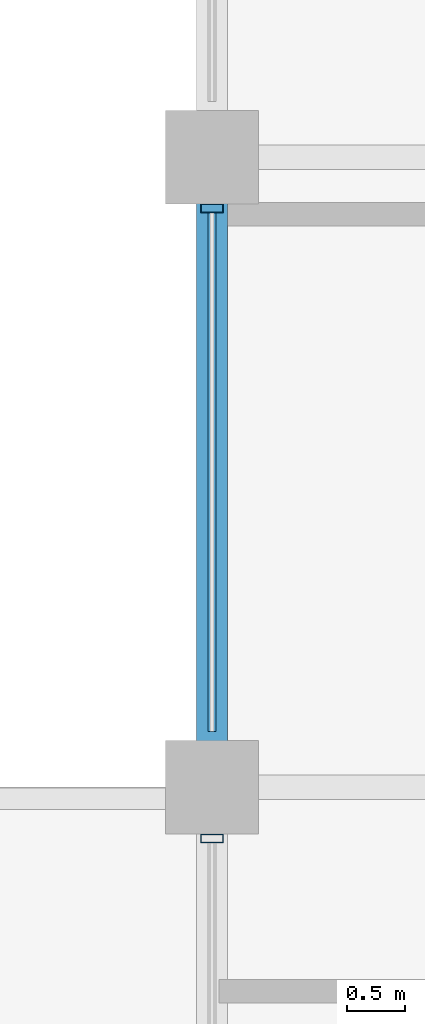
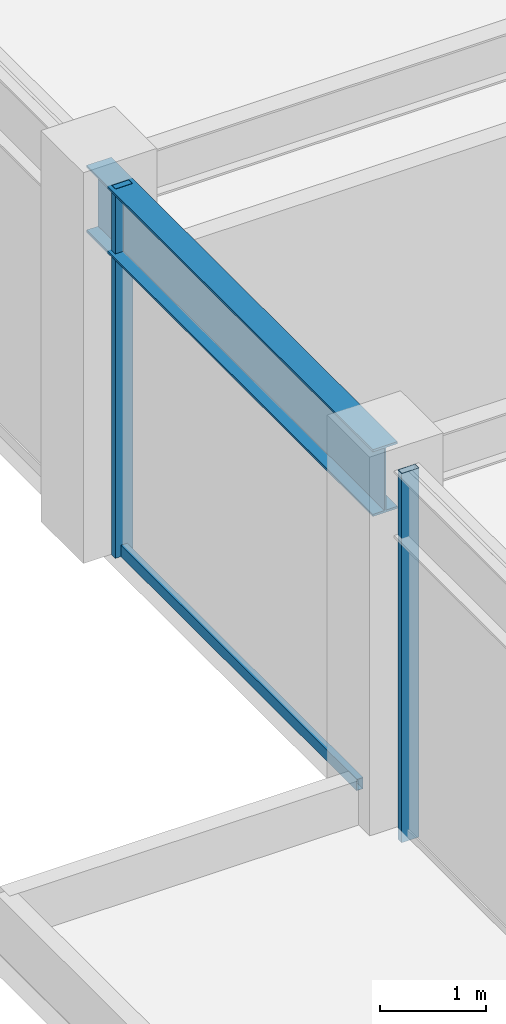
# One storey, part 8 of 28: 3 members, 1 beam, 1 element without a shape of its own.
"""IFC4 building model written with IfcOpenShell, lengths in metres."""

from ifc_helpers import new_model, si_unit, direction, frame, origin, origin_2d, place, context, subcontext, project, spatial, hollow_rectangle, i_section, extrude, material, layer, layer_set, material_profile, profile_set, type_object, element, aggregate, save


model = new_model("IFC4")

# Units and contexts
model_context = context("Model", 3, precision=1e-05, world=origin(), true_north=direction((0.0, 1.0)))
body_context = subcontext(model_context, "Body", "Model", "MODEL_VIEW")
ifc_project = project(units=[si_unit("LENGTHUNIT", "METRE"), si_unit("AREAUNIT", "SQUARE_METRE"), si_unit("VOLUMEUNIT", "CUBIC_METRE"), si_unit("PLANEANGLEUNIT", "RADIAN"), si_unit("MASSUNIT", "GRAM", prefix="KILO")], contexts=[model_context])

# Site, building, storey
site_placement = place(None, origin())
site = spatial("IfcSite", under=ifc_project, at=site_placement, CompositionType="ELEMENT")
building_placement = place(site_placement, origin())
building = spatial("IfcBuilding", under=site, at=building_placement, Name="Surkhivell Harbour Commons", CompositionType="ELEMENT")
storey_placement = place(building_placement, frame((0.0, 0.0, 249.75)))
storey = spatial("IfcBuildingStorey", under=building, at=storey_placement, Name="L65", CompositionType="ELEMENT", Elevation=249.75)

# Beam
ifc_material_1 = material(Name="Steel S355", Category="steel")
ifc_material_profile_1 = material_profile(ifc_material_1, i_section(OverallWidth=0.26806640625, OverallDepth=0.77001953125, WebThickness=0.015625, FlangeThickness=0.025390625, at=origin_2d()), Name="UB762x267x197")
ifc_profile_set_1 = profile_set([ifc_material_profile_1], Name="Steel S355")
beam_type = type_object("IfcBeamType", Name="BM-SPN-762", PredefinedType="SPANDREL", material=ifc_profile_set_1)
beam_placement = place(storey_placement, frame((-27.0, 5.39990234375, 3.864990234375), z_axis=(0.0, 1.0, 0.0), x_axis=(-1.0, 0.0, 0.0)))
element("IfcBeam", 1, at=beam_placement, inside=storey, type_object=beam_type, Name="L65 Tube Spandrel (-27.0,5.4)", PredefinedType="SPANDREL", context=body_context, shape_type="SweptSolid", body=[
    extrude(i_section(OverallWidth=0.26806640625, OverallDepth=0.77001953125, WebThickness=0.015625, FlangeThickness=0.025390625, at=origin_2d()), origin(), (0.0, 0.0, 1.0), 5.400146484375),
])

# Curtain wall, members
ifc_material_2 = material(Name="Anodised pale-metal aluminium and insulated glazing", Category="aluminium")
ifc_layer = layer(ifc_material_2, 0.18994140625)
ifc_layer_set = layer_set([ifc_layer], Name="Anodised pale-metal aluminium and insulated glazing")
curtain_wall_type = type_object("IfcCurtainWallType", Name="CW-SYS-Z3", PredefinedType="NOTDEFINED", material=ifc_layer_set)
curtain_wall_placement = place(storey_placement, origin())
curtain_wall = element("IfcCurtainWall", 2, at=curtain_wall_placement, inside=storey, type_object=curtain_wall_type, Name="L65 Curtain Wall CW-L65-E12S1", PredefinedType="NOTDEFINED")
ifc_material_3 = material(Name="Anodised pale-metal aluminium alloy 6063-T6", Category="aluminium")
ifc_material_profile_2 = material_profile(ifc_material_3, hollow_rectangle(XDim=0.074951171875, YDim=0.18994140625, WallThickness=0.00390625, at=origin_2d()), Name="ALU-MULL-75x190")
ifc_profile_set_2 = profile_set([ifc_material_profile_2], Name="Anodised pale-metal aluminium alloy 6063-T6")
member_type_1 = type_object("IfcMemberType", Name="CWM-190", PredefinedType="MULLION", material=ifc_profile_set_2)
member_1_placement = place(storey_placement, frame((-27.0, 10.360595703125, 0.0), z_axis=(0.0, 0.0, 1.0), x_axis=(0.0, -1.0, 0.0)))
member_1 = element("IfcMember", 3, at=member_1_placement, type_object=member_type_1, Name="CW-Z3 mullion 3", PredefinedType="MULLION", context=body_context, shape_type="SweptSolid", body=[
    extrude(hollow_rectangle(XDim=0.074951171875, YDim=0.18994140625, WallThickness=0.00390625, at=origin_2d()), origin(), (0.0, 0.0, 1.0), 4.25),
])
member_2_placement = place(storey_placement, frame((-27.0, 4.96044921875, 0.0), z_axis=(0.0, 0.0, 1.0), x_axis=(0.0, -1.0, 0.0)))
member_2 = element("IfcMember", 4, at=member_2_placement, type_object=member_type_1, Name="CW-Z3 mullion 4", PredefinedType="MULLION", context=body_context, shape_type="SweptSolid", body=[
    extrude(hollow_rectangle(XDim=0.074951171875, YDim=0.18994140625, WallThickness=0.00390625, at=origin_2d()), origin(), (0.0, 0.0, 1.0), 4.25),
])
ifc_material_4 = material(Name="Champagne anodised aluminium alloy 6063-T6", Category="aluminium")
ifc_material_profile_3 = material_profile(ifc_material_4, hollow_rectangle(XDim=0.070068359375, YDim=0.1298828125, WallThickness=0.00341796875, at=origin_2d()), Name="ALU-TRAN-70x130")
ifc_profile_set_3 = profile_set([ifc_material_profile_3], Name="Champagne anodised aluminium alloy 6063-T6")
member_type_2 = type_object("IfcMemberType", Name="CWT-130", PredefinedType="USERDEFINED", material=ifc_profile_set_3)
member_3_placement = place(storey_placement, frame((-27.0, 10.322998046875, 0.06494140625), z_axis=(0.0, -1.0, 0.0), x_axis=(1.0, 0.0, 0.0)))
member_3 = element("IfcMember", 5, at=member_3_placement, type_object=member_type_2, Name="CW-Z3 transom 3.1", ObjectType="TRANSOM", PredefinedType="USERDEFINED", context=body_context, shape_type="SweptSolid", body=[
    extrude(hollow_rectangle(XDim=0.070068359375, YDim=0.1298828125, WallThickness=0.00341796875, at=origin_2d()), origin(), (0.0, 0.0, 1.0), 4.446044921875),
])
aggregate(curtain_wall, [member_1, member_3, member_2])

save(model, "model.ifc")
